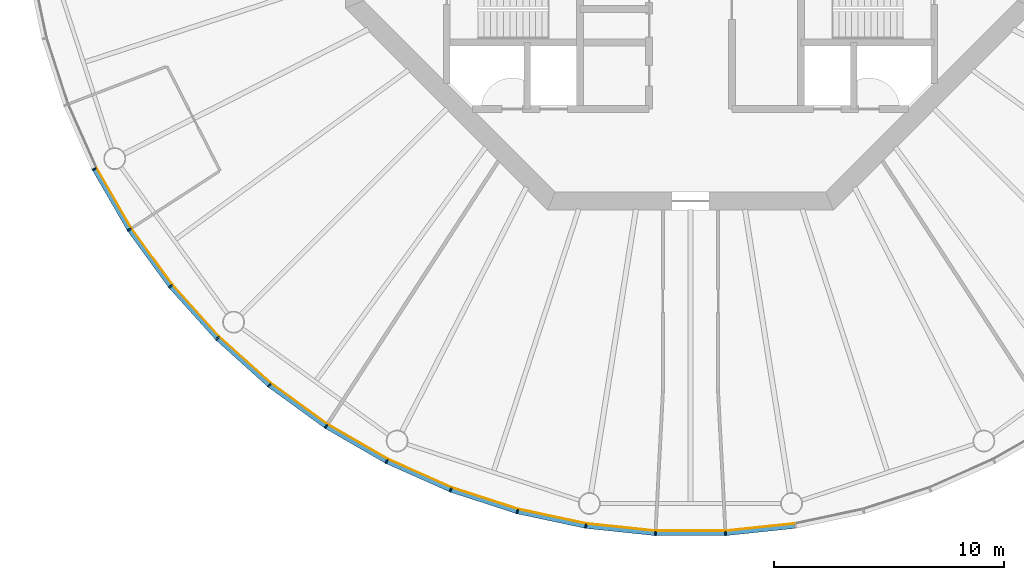
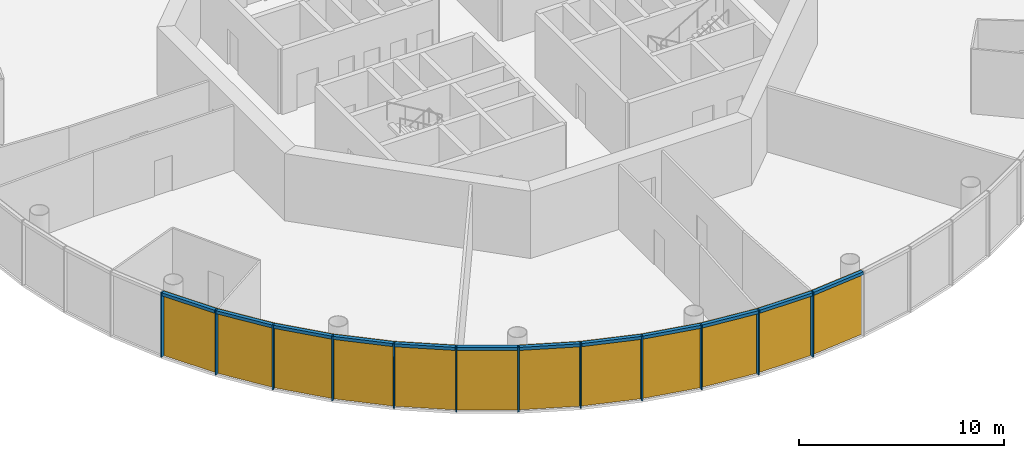
# One storey, part 7 of 13: 24 members, 4 curtain walls.
"""IFC4 building model written with IfcOpenShell, lengths in metres."""

from ifc_helpers import new_model, si_unit, direction, frame, origin, origin_2d, place, context, subcontext, project, spatial, polyline, rectangle, outline, extrude, material, layer, layer_set, material_profile, profile_set, type_object, element, aggregate, save


model = new_model("IFC4")

# Units and contexts
model_context = context("Model", 3, precision=1e-05, world=origin(), true_north=direction((0.0, 1.0)))
body_context = subcontext(model_context, "Body", "Model", "MODEL_VIEW")
ifc_project = project(units=[si_unit("LENGTHUNIT", "METRE"), si_unit("AREAUNIT", "SQUARE_METRE"), si_unit("VOLUMEUNIT", "CUBIC_METRE"), si_unit("PLANEANGLEUNIT", "RADIAN"), si_unit("MASSUNIT", "GRAM", prefix="KILO")], contexts=[model_context])

# Member
ifc_material_1 = material(Name="Anodised aluminium", Category="aluminium")
ifc_material_profile_1 = material_profile(ifc_material_1, rectangle(XDim=0.06494140625, YDim=0.195068359375, at=origin_2d()), Name="Mullion 65 x 195 mm anodised aluminium")
ifc_profile_set_1 = profile_set([ifc_material_profile_1], Name="Anodised aluminium")
member_type_1 = type_object("IfcMemberType", Name="Mullion 65 x 195 mm anodised aluminium", PredefinedType="MULLION", material=ifc_profile_set_1)
site_placement = place(None, origin())
building_placement = place(site_placement, origin())
storey_placement = place(building_placement, frame((0.0, 0.0, 318.0)))
member_1_placement = place(storey_placement, frame((64.073974609375, 66.7900390625, 0.0), z_axis=(0.0, 0.0, 1.0), x_axis=(0.45399049974, -0.891006524188, 0.0)))
member_1 = element("IfcMember", 1, at=member_1_placement, type_object=member_type_1, Name="MULLION L73-33", PredefinedType="MULLION", context=body_context, shape_type="SweptSolid", body=[
    extrude(rectangle(XDim=0.06494140625, YDim=0.195068359375, at=origin_2d()), origin(), (0.0, 0.0, 1.0), 3.85009765625),
])

member_2_placement = place(storey_placement, frame((65.5966796875, 64.15234375, 0.0), z_axis=(0.0, 0.0, 1.0), x_axis=(0.544639035015, -0.838670567945, 0.0)))
member_2 = element("IfcMember", 2, at=member_2_placement, type_object=member_type_1, Name="MULLION L73-34", PredefinedType="MULLION", context=body_context, shape_type="SweptSolid", body=[
    extrude(rectangle(XDim=0.06494140625, YDim=0.195068359375, at=origin_2d()), origin(), (0.0, 0.0, 1.0), 3.85009765625),
])

member_3_placement = place(storey_placement, frame((67.386962890625, 61.688232421875, 0.0), z_axis=(0.0, 0.0, 1.0), x_axis=(0.62932039105, -0.777145961457, 0.0)))
member_3 = element("IfcMember", 3, at=member_3_placement, type_object=member_type_1, Name="MULLION L73-35", PredefinedType="MULLION", context=body_context, shape_type="SweptSolid", body=[
    extrude(rectangle(XDim=0.06494140625, YDim=0.195068359375, at=origin_2d()), origin(), (0.0, 0.0, 1.0), 3.85009765625),
])

member_4_placement = place(storey_placement, frame((69.425048828125, 59.425048828125, 0.0), z_axis=(0.0, 0.0, 1.0), x_axis=(0.707106781187, -0.707106781187, 0.0)))
member_4 = element("IfcMember", 4, at=member_4_placement, type_object=member_type_1, Name="MULLION L73-36", PredefinedType="MULLION", context=body_context, shape_type="SweptSolid", body=[
    extrude(rectangle(XDim=0.06494140625, YDim=0.195068359375, at=origin_2d()), origin(), (0.0, 0.0, 1.0), 3.85009765625),
])

member_5_placement = place(storey_placement, frame((71.688232421875, 57.386962890625, 0.0), z_axis=(0.0, 0.0, 1.0), x_axis=(0.777145961457, -0.62932039105, 0.0)))
member_5 = element("IfcMember", 5, at=member_5_placement, type_object=member_type_1, Name="MULLION L73-37", PredefinedType="MULLION", context=body_context, shape_type="SweptSolid", body=[
    extrude(rectangle(XDim=0.06494140625, YDim=0.195068359375, at=origin_2d()), origin(), (0.0, 0.0, 1.0), 3.85009765625),
])

member_6_placement = place(storey_placement, frame((74.15234375, 55.5966796875, 0.0), z_axis=(0.0, 0.0, 1.0), x_axis=(0.838670567945, -0.544639035015, 0.0)))
member_6 = element("IfcMember", 6, at=member_6_placement, type_object=member_type_1, Name="MULLION L73-38", PredefinedType="MULLION", context=body_context, shape_type="SweptSolid", body=[
    extrude(rectangle(XDim=0.06494140625, YDim=0.195068359375, at=origin_2d()), origin(), (0.0, 0.0, 1.0), 3.85009765625),
])

member_7_placement = place(storey_placement, frame((76.7900390625, 54.073974609375, 0.0), z_axis=(0.0, 0.0, 1.0), x_axis=(0.891006524188, -0.45399049974, 0.0)))
member_7 = element("IfcMember", 7, at=member_7_placement, type_object=member_type_1, Name="MULLION L73-39", PredefinedType="MULLION", context=body_context, shape_type="SweptSolid", body=[
    extrude(rectangle(XDim=0.06494140625, YDim=0.195068359375, at=origin_2d()), origin(), (0.0, 0.0, 1.0), 3.85009765625),
])

member_8_placement = place(storey_placement, frame((79.572509765625, 52.835205078125, 0.0), z_axis=(0.0, 0.0, 1.0), x_axis=(0.933580426497, -0.358367949545, 0.0)))
member_8 = element("IfcMember", 8, at=member_8_placement, type_object=member_type_1, Name="MULLION L73-40", PredefinedType="MULLION", context=body_context, shape_type="SweptSolid", body=[
    extrude(rectangle(XDim=0.06494140625, YDim=0.195068359375, at=origin_2d()), origin(), (0.0, 0.0, 1.0), 3.85009765625),
])

member_9_placement = place(storey_placement, frame((82.468994140625, 51.89404296875, 0.0), z_axis=(0.0, 0.0, 1.0), x_axis=(0.965925826289, -0.258819045103, 0.0)))
member_9 = element("IfcMember", 9, at=member_9_placement, type_object=member_type_1, Name="MULLION L73-41", PredefinedType="MULLION", context=body_context, shape_type="SweptSolid", body=[
    extrude(rectangle(XDim=0.06494140625, YDim=0.195068359375, at=origin_2d()), origin(), (0.0, 0.0, 1.0), 3.85009765625),
])

member_10_placement = place(storey_placement, frame((85.4482421875, 51.2607421875, 0.0), z_axis=(0.0, 0.0, 1.0), x_axis=(0.987688340595, -0.15643446504, 0.0)))
member_10 = element("IfcMember", 10, at=member_10_placement, type_object=member_type_1, Name="MULLION L73-42", PredefinedType="MULLION", context=body_context, shape_type="SweptSolid", body=[
    extrude(rectangle(XDim=0.06494140625, YDim=0.195068359375, at=origin_2d()), origin(), (0.0, 0.0, 1.0), 3.85009765625),
])

member_11_placement = place(storey_placement, frame((88.47705078125, 50.9423828125, 0.0), z_axis=(0.0, 0.0, 1.0), x_axis=(0.998629534755, -0.052335956243, 0.0)))
member_11 = element("IfcMember", 11, at=member_11_placement, type_object=member_type_1, Name="MULLION L73-43", PredefinedType="MULLION", context=body_context, shape_type="SweptSolid", body=[
    extrude(rectangle(XDim=0.06494140625, YDim=0.195068359375, at=origin_2d()), origin(), (0.0, 0.0, 1.0), 3.85009765625),
])

member_12_placement = place(storey_placement, frame((91.52294921875, 50.9423828125, 0.0), z_axis=(0.0, 0.0, 1.0), x_axis=(0.998629534755, 0.052335956243, 0.0)))
member_12 = element("IfcMember", 12, at=member_12_placement, type_object=member_type_1, Name="MULLION L73-44", PredefinedType="MULLION", context=body_context, shape_type="SweptSolid", body=[
    extrude(rectangle(XDim=0.06494140625, YDim=0.195068359375, at=origin_2d()), origin(), (0.0, 0.0, 1.0), 3.85009765625),
])

ifc_material_2 = material(Name="Anodised aluminium", Category="aluminium")
ifc_material_profile_2 = material_profile(ifc_material_2, rectangle(XDim=0.195068359375, YDim=0.179931640625, at=origin_2d()), Name="Transom 180 x 195 mm anodised aluminium")
ifc_profile_set_2 = profile_set([ifc_material_profile_2], Name="Anodised aluminium")
member_type_2 = type_object("IfcMemberType", Name="Transom 180 x 195 mm anodised aluminium", PredefinedType="USERDEFINED", material=ifc_profile_set_2)
member_13_placement = place(storey_placement, frame((64.092529296875, 66.75732421875, 3.760009765625), z_axis=(0.500028367561, -0.866009025146, 0.0), x_axis=(0.866009025146, 0.500028367561, 0.0)))
member_13 = element("IfcMember", 13, at=member_13_placement, type_object=member_type_2, Name="TRANSOM L73-33", ObjectType="TRANSOM", PredefinedType="USERDEFINED", context=body_context, shape_type="SweptSolid", body=[
    extrude(rectangle(XDim=0.195068359375, YDim=0.179931640625, at=origin_2d()), origin(), (0.0, 0.0, 1.0), 2.970458984375),
])

member_14_placement = place(storey_placement, frame((65.618896484375, 64.121826171875, 3.760009765625), z_axis=(0.587765987476, -0.809030990733, 0.0), x_axis=(0.809030990733, 0.587765987476, 0.0)))
member_14 = element("IfcMember", 14, at=member_14_placement, type_object=member_type_2, Name="TRANSOM L73-34", ObjectType="TRANSOM", PredefinedType="USERDEFINED", context=body_context, shape_type="SweptSolid", body=[
    extrude(rectangle(XDim=0.195068359375, YDim=0.179931640625, at=origin_2d()), origin(), (0.0, 0.0, 1.0), 2.97021484375),
])

member_15_placement = place(storey_placement, frame((67.412109375, 61.660400390625, 3.760009765625), z_axis=(0.669110027395, -0.743163354343, 0.0), x_axis=(0.743163354343, 0.669110027395, 0.0)))
member_15 = element("IfcMember", 15, at=member_15_placement, type_object=member_type_2, Name="TRANSOM L73-35", ObjectType="TRANSOM", PredefinedType="USERDEFINED", context=body_context, shape_type="SweptSolid", body=[
    extrude(rectangle(XDim=0.195068359375, YDim=0.179931640625, at=origin_2d()), origin(), (0.0, 0.0, 1.0), 2.970458984375),
])

member_16_placement = place(storey_placement, frame((69.452880859375, 59.399658203125, 3.760009765625), z_axis=(0.743163354343, -0.669110027395, 0.0), x_axis=(0.669110027395, 0.743163354343, 0.0)))
member_16 = element("IfcMember", 16, at=member_16_placement, type_object=member_type_2, Name="TRANSOM L73-36", ObjectType="TRANSOM", PredefinedType="USERDEFINED", context=body_context, shape_type="SweptSolid", body=[
    extrude(rectangle(XDim=0.195068359375, YDim=0.179931640625, at=origin_2d()), origin(), (0.0, 0.0, 1.0), 2.970458984375),
])

member_17_placement = place(storey_placement, frame((71.71875, 57.36474609375, 3.760009765625), z_axis=(0.809030990733, -0.587765987476, 0.0), x_axis=(0.587765987476, 0.809030990733, 0.0)))
member_17 = element("IfcMember", 17, at=member_17_placement, type_object=member_type_2, Name="TRANSOM L73-37", ObjectType="TRANSOM", PredefinedType="USERDEFINED", context=body_context, shape_type="SweptSolid", body=[
    extrude(rectangle(XDim=0.195068359375, YDim=0.179931640625, at=origin_2d()), origin(), (0.0, 0.0, 1.0), 2.97021484375),
])

member_18_placement = place(storey_placement, frame((74.184814453125, 55.577880859375, 3.760009765625), z_axis=(0.866009025146, -0.500028367561, 0.0), x_axis=(0.500028367561, 0.866009025146, 0.0)))
member_18 = element("IfcMember", 18, at=member_18_placement, type_object=member_type_2, Name="TRANSOM L73-38", ObjectType="TRANSOM", PredefinedType="USERDEFINED", context=body_context, shape_type="SweptSolid", body=[
    extrude(rectangle(XDim=0.195068359375, YDim=0.179931640625, at=origin_2d()), origin(), (0.0, 0.0, 1.0), 2.970458984375),
])

member_19_placement = place(storey_placement, frame((76.82421875, 54.05859375, 3.760009765625), z_axis=(0.913550406593, -0.406725527369, 0.0), x_axis=(0.406725527369, 0.913550406593, 0.0)))
member_19 = element("IfcMember", 19, at=member_19_placement, type_object=member_type_2, Name="TRANSOM L73-39", ObjectType="TRANSOM", PredefinedType="USERDEFINED", context=body_context, shape_type="SweptSolid", body=[
    extrude(rectangle(XDim=0.195068359375, YDim=0.179931640625, at=origin_2d()), origin(), (0.0, 0.0, 1.0), 2.970703125),
])

member_20_placement = place(storey_placement, frame((79.608154296875, 52.823486328125, 3.760009765625), z_axis=(0.951047960094, -0.309043326415, 0.0), x_axis=(0.309043326415, 0.951047960094, 0.0)))
member_20 = element("IfcMember", 20, at=member_20_placement, type_object=member_type_2, Name="TRANSOM L73-40", ObjectType="TRANSOM", PredefinedType="USERDEFINED", context=body_context, shape_type="SweptSolid", body=[
    extrude(rectangle(XDim=0.195068359375, YDim=0.179931640625, at=origin_2d()), origin(), (0.0, 0.0, 1.0), 2.970458984375),
])

member_21_placement = place(storey_placement, frame((82.505859375, 51.885986328125, 3.760009765625), z_axis=(0.978141510112, -0.207940342877, 0.0), x_axis=(0.207940342877, 0.978141510112, 0.0)))
member_21 = element("IfcMember", 21, at=member_21_placement, type_object=member_type_2, Name="TRANSOM L73-41", ObjectType="TRANSOM", PredefinedType="USERDEFINED", context=body_context, shape_type="SweptSolid", body=[
    extrude(rectangle(XDim=0.195068359375, YDim=0.179931640625, at=origin_2d()), origin(), (0.0, 0.0, 1.0), 2.970458984375),
])

member_22_placement = place(storey_placement, frame((85.485595703125, 51.256591796875, 3.760009765625), z_axis=(0.994528397827, -0.104466577987, 0.0), x_axis=(0.104466577987, 0.994528397827, 0.0)))
member_22 = element("IfcMember", 22, at=member_22_placement, type_object=member_type_2, Name="TRANSOM L73-42", ObjectType="TRANSOM", PredefinedType="USERDEFINED", context=body_context, shape_type="SweptSolid", body=[
    extrude(rectangle(XDim=0.195068359375, YDim=0.179931640625, at=origin_2d()), origin(), (0.0, 0.0, 1.0), 2.970458984375),
])

member_23_placement = place(storey_placement, frame((88.5146484375, 50.942138671875, 3.760009765625), z_axis=(1.0, 0.0, 0.0), x_axis=(0.0, 1.0, 0.0)))
member_23 = element("IfcMember", 23, at=member_23_placement, type_object=member_type_2, Name="TRANSOM L73-43", ObjectType="TRANSOM", PredefinedType="USERDEFINED", context=body_context, shape_type="SweptSolid", body=[
    extrude(rectangle(XDim=0.195068359375, YDim=0.179931640625, at=origin_2d()), origin(), (0.0, 0.0, 1.0), 2.970703125),
])

member_24_placement = place(storey_placement, frame((91.560302734375, 50.9462890625, 3.760009765625), z_axis=(0.994528397827, 0.104466577987, 0.0), x_axis=(-0.104466577987, 0.994528397827, 0.0)))
member_24 = element("IfcMember", 24, at=member_24_placement, type_object=member_type_2, Name="TRANSOM L73-44", ObjectType="TRANSOM", PredefinedType="USERDEFINED", context=body_context, shape_type="SweptSolid", body=[
    extrude(rectangle(XDim=0.195068359375, YDim=0.179931640625, at=origin_2d()), origin(), (0.0, 0.0, 1.0), 2.970458984375),
])

# Site, building, storey
site = spatial("IfcSite", under=ifc_project, at=site_placement, CompositionType="ELEMENT")
building = spatial("IfcBuilding", under=site, at=building_placement, Name="Entoto Ring Tower", CompositionType="ELEMENT")
storey = spatial("IfcBuildingStorey", under=building, at=storey_placement, Name="L73", CompositionType="ELEMENT", Elevation=318.0)

# Curtain wall
ifc_material_3 = material(Name="Clear low-iron glass", Category="glass")
ifc_layer = layer(ifc_material_3, 0.033935546875)
ifc_layer_set = layer_set([ifc_layer], Name="Clear low-iron glass")
curtain_wall_type = type_object("IfcCurtainWallType", Name="Curtain wall system CW5 glazing 34 mm", PredefinedType="NOTDEFINED", material=ifc_layer_set)
curtain_wall_1_placement = place(storey_placement, origin())
curtain_wall_1 = element("IfcCurtainWall", 25, at=curtain_wall_1_placement, inside=storey, type_object=curtain_wall_type, Name="CW5 L73-12", PredefinedType="NOTDEFINED", context=body_context, shape_type="SweptSolid", body=[
    extrude(outline(polyline([(64.160888671875, 66.834228515625), (65.678466796875, 64.20556640625), (67.462646484375, 61.749755859375), (69.493896484375, 59.493896484375), (69.51806640625, 59.51806640625), (67.4892578125, 61.771240234375), (65.70703125, 64.22412109375), (64.191162109375, 66.849853515625), (64.160888671875, 66.834228515625)])), origin(), (0.0, 0.0, 1.0), 3.85009765625),
])

aggregate(curtain_wall_1, [member_1, member_2, member_3, member_13, member_14, member_15])

curtain_wall_2_placement = place(storey_placement, origin())
curtain_wall_2 = element("IfcCurtainWall", 26, at=curtain_wall_2_placement, inside=storey, type_object=curtain_wall_type, Name="CW5 L73-13", PredefinedType="NOTDEFINED", context=body_context, shape_type="SweptSolid", body=[
    extrude(outline(polyline([(69.493896484375, 59.493896484375), (71.749755859375, 57.462646484375), (74.20556640625, 55.678466796875), (76.834228515625, 54.160888671875), (76.849853515625, 54.191162109375), (74.22412109375, 55.70703125), (71.771240234375, 57.4892578125), (69.51806640625, 59.51806640625), (69.493896484375, 59.493896484375)])), origin(), (0.0, 0.0, 1.0), 3.85009765625),
])

aggregate(curtain_wall_2, [member_4, member_5, member_6, member_16, member_17, member_18])

curtain_wall_3_placement = place(storey_placement, origin())
curtain_wall_3 = element("IfcCurtainWall", 27, at=curtain_wall_3_placement, inside=storey, type_object=curtain_wall_type, Name="CW5 L73-14", PredefinedType="NOTDEFINED", context=body_context, shape_type="SweptSolid", body=[
    extrude(outline(polyline([(76.834228515625, 54.160888671875), (79.607421875, 52.92626953125), (82.494140625, 51.988037109375), (85.46337890625, 51.35693359375), (85.46875, 51.390625), (82.503173828125, 52.02099609375), (79.61962890625, 52.9580078125), (76.849853515625, 54.191162109375), (76.834228515625, 54.160888671875)])), origin(), (0.0, 0.0, 1.0), 3.85009765625),
])

aggregate(curtain_wall_3, [member_7, member_8, member_9, member_19, member_20, member_21])

curtain_wall_4_placement = place(storey_placement, origin())
curtain_wall_4 = element("IfcCurtainWall", 28, at=curtain_wall_4_placement, inside=storey, type_object=curtain_wall_type, Name="CW5 L73-15", PredefinedType="NOTDEFINED", context=body_context, shape_type="SweptSolid", body=[
    extrude(outline(polyline([(85.46337890625, 51.35693359375), (88.482177734375, 51.039794921875), (91.517822265625, 51.039794921875), (94.53662109375, 51.35693359375), (94.53125, 51.390625), (91.515869140625, 51.07373046875), (88.484130859375, 51.07373046875), (85.46875, 51.390625), (85.46337890625, 51.35693359375)])), origin(), (0.0, 0.0, 1.0), 3.85009765625),
])

aggregate(curtain_wall_4, [member_10, member_11, member_12, member_22, member_23, member_24])

save(model, "model.ifc")
